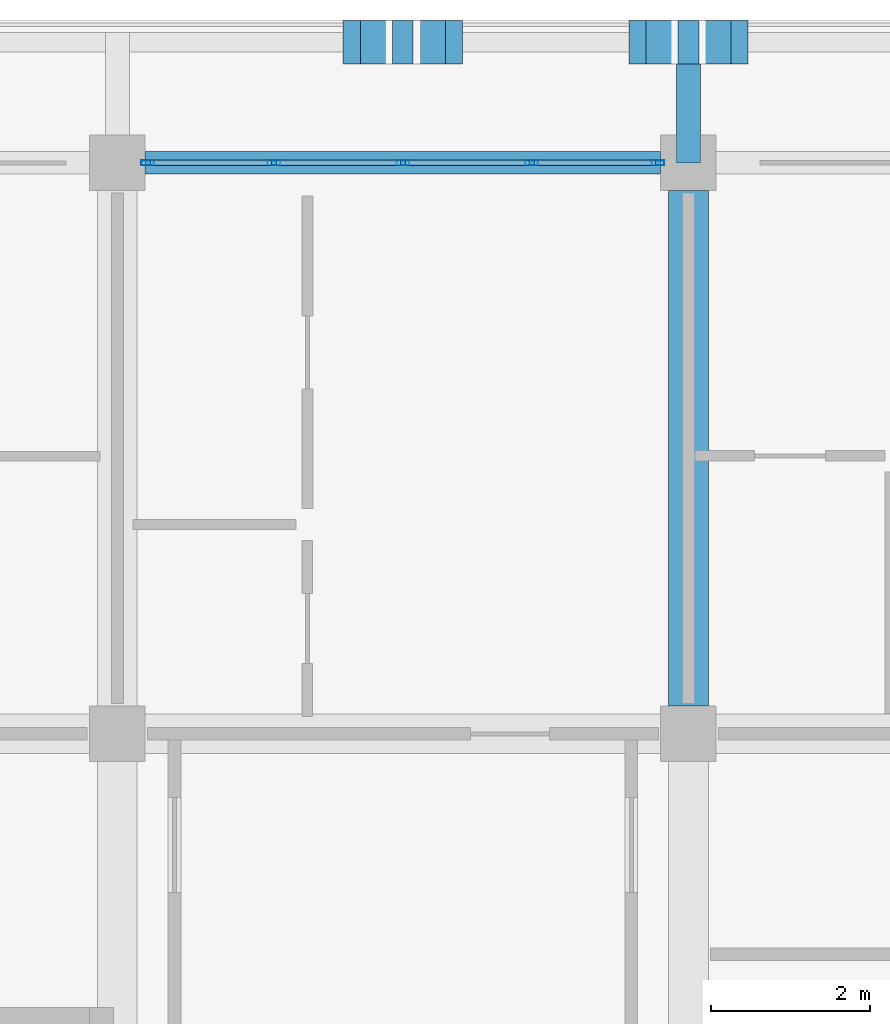
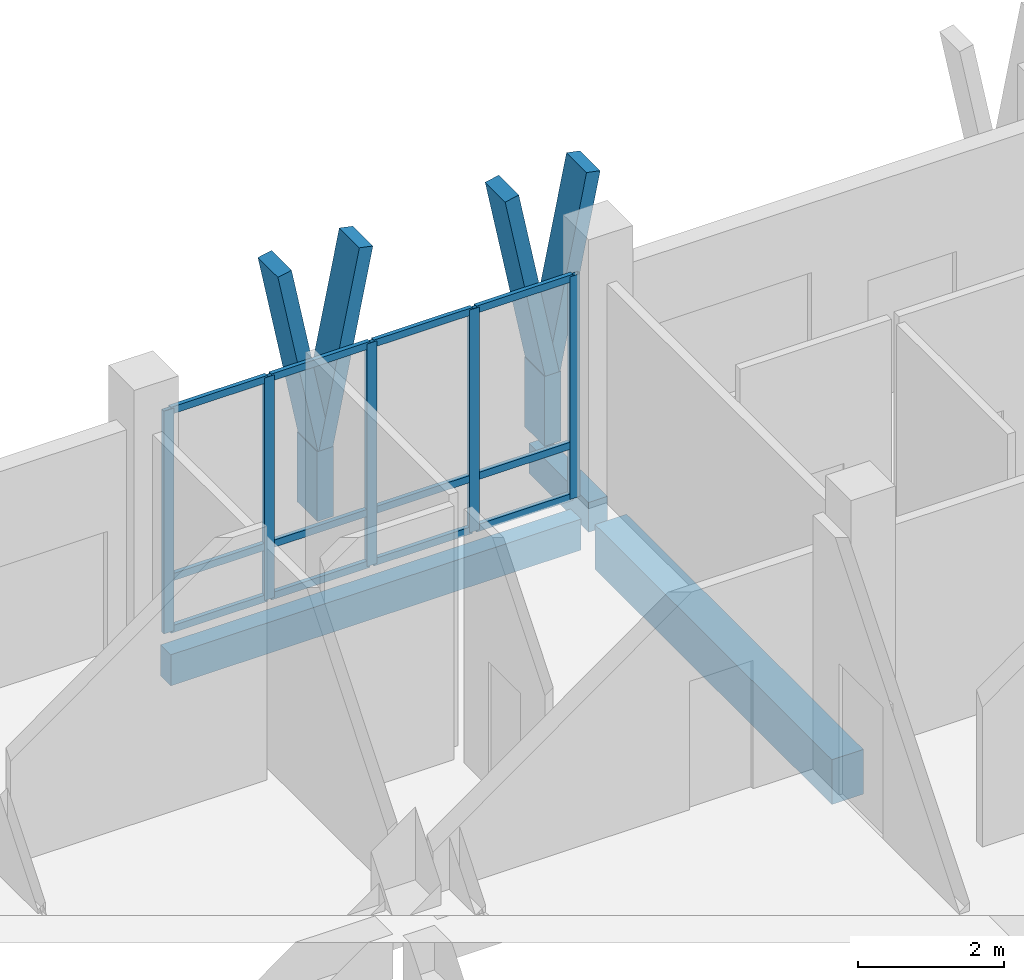
# One storey, part 52 of 110: 23 members, 3 beams, 1 element without a shape of its own.
"""IFC4 building model written with IfcOpenShell, lengths in metres."""

from ifc_helpers import new_model, si_unit, direction, frame, origin, origin_2d, place, context, subcontext, project, spatial, rectangle, hollow_rectangle, extrude, material, material_profile, profile_set, type_object, element, aggregate, save


model = new_model("IFC4")

# Units and contexts
model_context = context("Model", 3, precision=1e-05, world=origin(), true_north=direction((0.0, 1.0)))
body_context = subcontext(model_context, "Body", "Model", "MODEL_VIEW")
ifc_project = project(units=[si_unit("LENGTHUNIT", "METRE"), si_unit("AREAUNIT", "SQUARE_METRE"), si_unit("VOLUMEUNIT", "CUBIC_METRE"), si_unit("PLANEANGLEUNIT", "RADIAN"), si_unit("MASSUNIT", "GRAM", prefix="KILO")], contexts=[model_context])

# Site, building, storey
site_placement = place(None, origin())
site = spatial("IfcSite", under=ifc_project, at=site_placement, CompositionType="ELEMENT")
building_placement = place(site_placement, origin())
building = spatial("IfcBuilding", under=site, at=building_placement, Name="Suanplinth Sawtooth Commons", CompositionType="ELEMENT")
storey_placement = place(building_placement, frame((0.0, 0.0, 4.5)))
storey = spatial("IfcBuildingStorey", under=building, at=storey_placement, Name="L01", CompositionType="ELEMENT", Elevation=4.5)

# Beams
ifc_material_1 = material(Name="Concrete C40/50", Category="concrete")
ifc_material_profile_1 = material_profile(ifc_material_1, rectangle(XDim=0.5, YDim=0.75, at=origin_2d()), Name="RC-GDR 500x750")
ifc_profile_set_1 = profile_set([ifc_material_profile_1], Name="Concrete C40/50")
beam_type_1 = type_object("IfcBeamType", Name="B-03", PredefinedType="USERDEFINED", material=ifc_profile_set_1)
beam_1_placement = place(storey_placement, frame((151.199951171875, 115.550048828125, -0.675048828125), z_axis=(0.0, 1.0, 0.0), x_axis=(-1.0, 0.0, 0.0)))
element("IfcBeam", 1, at=beam_1_placement, inside=storey, type_object=beam_type_1, Name="BMY-L01-B-21-16", ObjectType="GIRDER", PredefinedType="USERDEFINED", context=body_context, shape_type="SweptSolid", body=[
    extrude(rectangle(XDim=0.5, YDim=0.75, at=origin_2d()), origin(), (0.0, 0.0, 1.0), 6.5),
])
ifc_material_2 = material(Name="Precast concrete C40/50", Category="concrete")
ifc_material_profile_2 = material_profile(ifc_material_2, rectangle(XDim=0.300048828125, YDim=0.5, at=origin_2d()), Name="PC-BM 300x500")
ifc_profile_set_2 = profile_set([ifc_material_profile_2], Name="Precast concrete C40/50")
beam_type_2 = type_object("IfcBeamType", Name="B-07", PredefinedType="BEAM", material=ifc_profile_set_2)
beam_2_placement = place(storey_placement, frame((151.199951171875, 122.39990234375, -0.429931640625), z_axis=(0.0, 1.0, 0.0), x_axis=(-1.0, 0.0, 0.0)))
element("IfcBeam", 2, at=beam_2_placement, inside=storey, type_object=beam_type_2, Name="Balcony Outrigger L01-B-N-21", PredefinedType="BEAM", context=body_context, shape_type="SweptSolid", body=[
    extrude(rectangle(XDim=0.300048828125, YDim=0.5, at=origin_2d()), origin(), (0.0, 0.0, 1.0), 1.64013671875),
])
ifc_material_profile_3 = material_profile(ifc_material_2, rectangle(XDim=0.280029296875, YDim=0.52001953125, at=origin_2d()), Name="PC-SP 280x520")
ifc_profile_set_3 = profile_set([ifc_material_profile_3], Name="Precast concrete C40/50")
beam_type_3 = type_object("IfcBeamType", Name="B-08", PredefinedType="SPANDREL", material=ifc_profile_set_3)
beam_3_placement = place(storey_placement, frame((144.35009765625, 122.39990234375, -0.56005859375), z_axis=(1.0, 0.0, 0.0), x_axis=(0.0, 1.0, 0.0)))
element("IfcBeam", 3, at=beam_3_placement, inside=storey, type_object=beam_type_3, Name="BMX-L01-B-20-17", PredefinedType="SPANDREL", context=body_context, shape_type="SweptSolid", body=[
    extrude(rectangle(XDim=0.280029296875, YDim=0.52001953125, at=origin_2d()), origin(), (0.0, 0.0, 1.0), 6.5),
])

# Members
ifc_material_3 = material(Name="Pigmented precast concrete C40/50", Category="concrete")
ifc_material_profile_4 = material_profile(ifc_material_3, rectangle(XDim=0.260009765625, YDim=0.550048828125, at=origin_2d()), Name="PC-FIN 260x550")
ifc_profile_set_4 = profile_set([ifc_material_profile_4], Name="Pigmented precast concrete C40/50")
member_type_1 = type_object("IfcMemberType", Name="M-09", PredefinedType="USERDEFINED", material=ifc_profile_set_4)
for number, where, z_axis, x_axis, name in (
    (4, (147.60009765625, 123.919921875, 0.0), (0.0, 0.0, 1.0), (1.0, 0.0, 0.0), "Y-Blade Stem L01-B-N-03"),
    (5, (151.199951171875, 123.919921875, 0.0), (0.0, 0.0, 1.0), (1.0, 0.0, 0.0), "Y-Blade Stem L01-B-N-04"),
):
    element("IfcMember", number, at=place(storey_placement, frame(where, z_axis=z_axis, x_axis=x_axis)), inside=storey, type_object=member_type_1, Name=name, ObjectType="SHADING FIN", PredefinedType="USERDEFINED", context=body_context, shape_type="SweptSolid", body=[
        extrude(rectangle(XDim=0.260009765625, YDim=0.550048828125, at=origin_2d()), origin(), (0.0, 0.0, 1.0), 1.169921875),
    ])
ifc_material_profile_5 = material_profile(ifc_material_3, rectangle(XDim=0.219970703125, YDim=0.550048828125, at=origin_2d()), Name="PC-FIN 220x550")
ifc_profile_set_5 = profile_set([ifc_material_profile_5], Name="Pigmented precast concrete C40/50")
member_type_2 = type_object("IfcMemberType", Name="M-10", PredefinedType="USERDEFINED", material=ifc_profile_set_5)
member_1_placement = place(storey_placement, frame((147.60009765625, 123.919921875, 1.1298828125), z_axis=(-0.197582858822, 0.0, 0.980286189793), x_axis=(0.980286189793, 0.0, 0.197582858822)))
element("IfcMember", 6, at=member_1_placement, inside=storey, type_object=member_type_2, Name="Y-Blade Arm L L01-B-N-03", ObjectType="SHADING FIN", PredefinedType="USERDEFINED", context=body_context, shape_type="SweptSolid", body=[
    extrude(rectangle(XDim=0.219970703125, YDim=0.550048828125, at=origin_2d()), origin(), (0.0, 0.0, 1.0), 3.2646484375),
])
for number, where, z_axis, x_axis, name in (
    (7, (147.60009765625, 123.919921875, 1.1298828125), (0.197510991436, 0.0, 0.980300672377), (-0.980300672377, 0.0, 0.197510991436), "Y-Blade Arm R L01-B-N-03"),
    (8, (151.199951171875, 123.919921875, 1.1298828125), (-0.197510991436, 0.0, 0.980300672377), (0.980300672377, 0.0, 0.197510991436), "Y-Blade Arm L L01-B-N-04"),
):
    element("IfcMember", number, at=place(storey_placement, frame(where, z_axis=z_axis, x_axis=x_axis)), inside=storey, type_object=member_type_2, Name=name, ObjectType="SHADING FIN", PredefinedType="USERDEFINED", context=body_context, shape_type="SweptSolid", body=[
        extrude(rectangle(XDim=0.219970703125, YDim=0.550048828125, at=origin_2d()), origin(), (0.0, 0.0, 1.0), 3.264404296875),
    ])
member_2_placement = place(storey_placement, frame((151.199951171875, 123.919921875, 1.1298828125), z_axis=(0.197582858822, 0.0, 0.980286189793), x_axis=(-0.980286189793, 0.0, 0.197582858822)))
element("IfcMember", 9, at=member_2_placement, inside=storey, type_object=member_type_2, Name="Y-Blade Arm R L01-B-N-04", ObjectType="SHADING FIN", PredefinedType="USERDEFINED", context=body_context, shape_type="SweptSolid", body=[
    extrude(rectangle(XDim=0.219970703125, YDim=0.550048828125, at=origin_2d()), origin(), (0.0, 0.0, 1.0), 3.2646484375),
])

# Curtain wall, members
ifc_material_4 = material(Name="Anodized aluminium and low-E glazing", Category="aluminium")
curtain_wall_type = type_object("IfcCurtainWallType", Name="CW-06", PredefinedType="USERDEFINED", material=ifc_material_4)
curtain_wall_placement = place(storey_placement, origin())
curtain_wall = element("IfcCurtainWall", 10, at=curtain_wall_placement, inside=storey, type_object=curtain_wall_type, Name="Curtain Wall CW-L01-B-LOUNGE-20", ObjectType="CURTAIN WALL", PredefinedType="USERDEFINED")
ifc_material_5 = material(Name="Anodized aluminium 6063-T6", Category="aluminium")
ifc_material_profile_6 = material_profile(ifc_material_5, hollow_rectangle(XDim=0.06494140625, YDim=0.159912109375, WallThickness=0.00390625, at=origin_2d()), Name="ALU-MUL 65x160")
ifc_profile_set_6 = profile_set([ifc_material_profile_6], Name="Anodized aluminium 6063-T6")
member_type_3 = type_object("IfcMemberType", Name="M-13", PredefinedType="MULLION", material=ifc_profile_set_6)
member_3_placement = place(storey_placement, frame((144.382568359375, 122.39990234375, 0.0), z_axis=(0.0, 0.0, 1.0), x_axis=(0.0, 1.0, 0.0)))
member_3 = element("IfcMember", 11, at=member_3_placement, type_object=member_type_3, Name="CW-06 mullion 1", PredefinedType="MULLION", context=body_context, shape_type="SweptSolid", body=[
    extrude(hollow_rectangle(XDim=0.06494140625, YDim=0.159912109375, WallThickness=0.00390625, at=origin_2d()), origin(), (0.0, 0.0, 1.0), 3.72998046875),
])
member_4_placement = place(storey_placement, frame((145.97509765625, 122.39990234375, 0.0), z_axis=(0.0, 0.0, 1.0), x_axis=(0.0, 1.0, 0.0)))
member_4 = element("IfcMember", 12, at=member_4_placement, type_object=member_type_3, Name="CW-06 mullion 2", PredefinedType="MULLION", context=body_context, shape_type="SweptSolid", body=[
    extrude(hollow_rectangle(XDim=0.06494140625, YDim=0.159912109375, WallThickness=0.00390625, at=origin_2d()), origin(), (0.0, 0.0, 1.0), 3.72998046875),
])
member_5_placement = place(storey_placement, frame((147.60009765625, 122.39990234375, 0.0), z_axis=(0.0, 0.0, 1.0), x_axis=(0.0, 1.0, 0.0)))
member_5 = element("IfcMember", 13, at=member_5_placement, type_object=member_type_3, Name="CW-06 mullion 3", PredefinedType="MULLION", context=body_context, shape_type="SweptSolid", body=[
    extrude(hollow_rectangle(XDim=0.06494140625, YDim=0.159912109375, WallThickness=0.00390625, at=origin_2d()), origin(), (0.0, 0.0, 1.0), 3.72998046875),
])
member_6_placement = place(storey_placement, frame((149.22509765625, 122.39990234375, 0.0), z_axis=(0.0, 0.0, 1.0), x_axis=(0.0, 1.0, 0.0)))
member_6 = element("IfcMember", 14, at=member_6_placement, type_object=member_type_3, Name="CW-06 mullion 4", PredefinedType="MULLION", context=body_context, shape_type="SweptSolid", body=[
    extrude(hollow_rectangle(XDim=0.06494140625, YDim=0.159912109375, WallThickness=0.00390625, at=origin_2d()), origin(), (0.0, 0.0, 1.0), 3.72998046875),
])
member_7_placement = place(storey_placement, frame((150.8173828125, 122.39990234375, 0.0), z_axis=(0.0, 0.0, 1.0), x_axis=(0.0, 1.0, 0.0)))
member_7 = element("IfcMember", 15, at=member_7_placement, type_object=member_type_3, Name="CW-06 mullion 5", PredefinedType="MULLION", context=body_context, shape_type="SweptSolid", body=[
    extrude(hollow_rectangle(XDim=0.06494140625, YDim=0.159912109375, WallThickness=0.00390625, at=origin_2d()), origin(), (0.0, 0.0, 1.0), 3.72998046875),
])
ifc_material_profile_7 = material_profile(ifc_material_5, hollow_rectangle(XDim=0.06494140625, YDim=0.1201171875, WallThickness=0.00390625, at=origin_2d()), Name="ALU-TRN 65x120")
ifc_profile_set_7 = profile_set([ifc_material_profile_7], Name="Anodized aluminium 6063-T6")
member_type_4 = type_object("IfcMemberType", Name="M-15", PredefinedType="USERDEFINED", material=ifc_profile_set_7)
member_8_placement = place(storey_placement, frame((144.4150390625, 122.39990234375, 0.032470703125), z_axis=(1.0, 0.0, 0.0), x_axis=(0.0, 1.0, 0.0)))
member_8 = element("IfcMember", 16, at=member_8_placement, type_object=member_type_4, Name="CW-06 transom 1.1", ObjectType="TRANSOM", PredefinedType="USERDEFINED", context=body_context, shape_type="SweptSolid", body=[
    extrude(hollow_rectangle(XDim=0.06494140625, YDim=0.1201171875, WallThickness=0.00390625, at=origin_2d()), origin(), (0.0, 0.0, 1.0), 1.52734375),
])
member_9_placement = place(storey_placement, frame((144.4150390625, 122.39990234375, 0.89990234375), z_axis=(1.0, 0.0, 0.0), x_axis=(0.0, 1.0, 0.0)))
member_9 = element("IfcMember", 17, at=member_9_placement, type_object=member_type_4, Name="CW-06 transom 1.2", ObjectType="TRANSOM", PredefinedType="USERDEFINED", context=body_context, shape_type="SweptSolid", body=[
    extrude(hollow_rectangle(XDim=0.06494140625, YDim=0.1201171875, WallThickness=0.00390625, at=origin_2d()), origin(), (0.0, 0.0, 1.0), 1.52734375),
])
member_10_placement = place(storey_placement, frame((144.4150390625, 122.39990234375, 3.697509765625), z_axis=(1.0, 0.0, 0.0), x_axis=(0.0, 1.0, 0.0)))
member_10 = element("IfcMember", 18, at=member_10_placement, type_object=member_type_4, Name="CW-06 transom 1.3", ObjectType="TRANSOM", PredefinedType="USERDEFINED", context=body_context, shape_type="SweptSolid", body=[
    extrude(hollow_rectangle(XDim=0.06494140625, YDim=0.1201171875, WallThickness=0.00390625, at=origin_2d()), origin(), (0.0, 0.0, 1.0), 1.52734375),
])
member_11_placement = place(storey_placement, frame((146.007568359375, 122.39990234375, 0.032470703125), z_axis=(1.0, 0.0, 0.0), x_axis=(0.0, 1.0, 0.0)))
member_11 = element("IfcMember", 19, at=member_11_placement, type_object=member_type_4, Name="CW-06 transom 2.1", ObjectType="TRANSOM", PredefinedType="USERDEFINED", context=body_context, shape_type="SweptSolid", body=[
    extrude(hollow_rectangle(XDim=0.06494140625, YDim=0.1201171875, WallThickness=0.00390625, at=origin_2d()), origin(), (0.0, 0.0, 1.0), 1.559814453125),
])
member_12_placement = place(storey_placement, frame((146.007568359375, 122.39990234375, 0.89990234375), z_axis=(1.0, 0.0, 0.0), x_axis=(0.0, 1.0, 0.0)))
member_12 = element("IfcMember", 20, at=member_12_placement, type_object=member_type_4, Name="CW-06 transom 2.2", ObjectType="TRANSOM", PredefinedType="USERDEFINED", context=body_context, shape_type="SweptSolid", body=[
    extrude(hollow_rectangle(XDim=0.06494140625, YDim=0.1201171875, WallThickness=0.00390625, at=origin_2d()), origin(), (0.0, 0.0, 1.0), 1.559814453125),
])
member_13_placement = place(storey_placement, frame((146.007568359375, 122.39990234375, 3.697509765625), z_axis=(1.0, 0.0, 0.0), x_axis=(0.0, 1.0, 0.0)))
member_13 = element("IfcMember", 21, at=member_13_placement, type_object=member_type_4, Name="CW-06 transom 2.3", ObjectType="TRANSOM", PredefinedType="USERDEFINED", context=body_context, shape_type="SweptSolid", body=[
    extrude(hollow_rectangle(XDim=0.06494140625, YDim=0.1201171875, WallThickness=0.00390625, at=origin_2d()), origin(), (0.0, 0.0, 1.0), 1.559814453125),
])
member_14_placement = place(storey_placement, frame((147.632568359375, 122.39990234375, 0.032470703125), z_axis=(1.0, 0.0, 0.0), x_axis=(0.0, 1.0, 0.0)))
member_14 = element("IfcMember", 22, at=member_14_placement, type_object=member_type_4, Name="CW-06 transom 3.1", ObjectType="TRANSOM", PredefinedType="USERDEFINED", context=body_context, shape_type="SweptSolid", body=[
    extrude(hollow_rectangle(XDim=0.06494140625, YDim=0.1201171875, WallThickness=0.00390625, at=origin_2d()), origin(), (0.0, 0.0, 1.0), 1.559814453125),
])
member_15_placement = place(storey_placement, frame((147.632568359375, 122.39990234375, 0.89990234375), z_axis=(1.0, 0.0, 0.0), x_axis=(0.0, 1.0, 0.0)))
member_15 = element("IfcMember", 23, at=member_15_placement, type_object=member_type_4, Name="CW-06 transom 3.2", ObjectType="TRANSOM", PredefinedType="USERDEFINED", context=body_context, shape_type="SweptSolid", body=[
    extrude(hollow_rectangle(XDim=0.06494140625, YDim=0.1201171875, WallThickness=0.00390625, at=origin_2d()), origin(), (0.0, 0.0, 1.0), 1.559814453125),
])
member_16_placement = place(storey_placement, frame((147.632568359375, 122.39990234375, 3.697509765625), z_axis=(1.0, 0.0, 0.0), x_axis=(0.0, 1.0, 0.0)))
member_16 = element("IfcMember", 24, at=member_16_placement, type_object=member_type_4, Name="CW-06 transom 3.3", ObjectType="TRANSOM", PredefinedType="USERDEFINED", context=body_context, shape_type="SweptSolid", body=[
    extrude(hollow_rectangle(XDim=0.06494140625, YDim=0.1201171875, WallThickness=0.00390625, at=origin_2d()), origin(), (0.0, 0.0, 1.0), 1.559814453125),
])
member_17_placement = place(storey_placement, frame((149.257568359375, 122.39990234375, 0.032470703125), z_axis=(1.0, 0.0, 0.0), x_axis=(0.0, 1.0, 0.0)))
member_17 = element("IfcMember", 25, at=member_17_placement, type_object=member_type_4, Name="CW-06 transom 4.1", ObjectType="TRANSOM", PredefinedType="USERDEFINED", context=body_context, shape_type="SweptSolid", body=[
    extrude(hollow_rectangle(XDim=0.06494140625, YDim=0.1201171875, WallThickness=0.00390625, at=origin_2d()), origin(), (0.0, 0.0, 1.0), 1.52734375),
])
member_18_placement = place(storey_placement, frame((149.257568359375, 122.39990234375, 0.89990234375), z_axis=(1.0, 0.0, 0.0), x_axis=(0.0, 1.0, 0.0)))
member_18 = element("IfcMember", 26, at=member_18_placement, type_object=member_type_4, Name="CW-06 transom 4.2", ObjectType="TRANSOM", PredefinedType="USERDEFINED", context=body_context, shape_type="SweptSolid", body=[
    extrude(hollow_rectangle(XDim=0.06494140625, YDim=0.1201171875, WallThickness=0.00390625, at=origin_2d()), origin(), (0.0, 0.0, 1.0), 1.52734375),
])
member_19_placement = place(storey_placement, frame((149.257568359375, 122.39990234375, 3.697509765625), z_axis=(1.0, 0.0, 0.0), x_axis=(0.0, 1.0, 0.0)))
member_19 = element("IfcMember", 27, at=member_19_placement, type_object=member_type_4, Name="CW-06 transom 4.3", ObjectType="TRANSOM", PredefinedType="USERDEFINED", context=body_context, shape_type="SweptSolid", body=[
    extrude(hollow_rectangle(XDim=0.06494140625, YDim=0.1201171875, WallThickness=0.00390625, at=origin_2d()), origin(), (0.0, 0.0, 1.0), 1.52734375),
])
aggregate(curtain_wall, [member_3, member_4, member_5, member_6, member_7, member_8, member_9, member_10, member_11, member_12, member_13, member_14, member_15, member_16, member_17, member_18, member_19])

save(model, "model.ifc")
